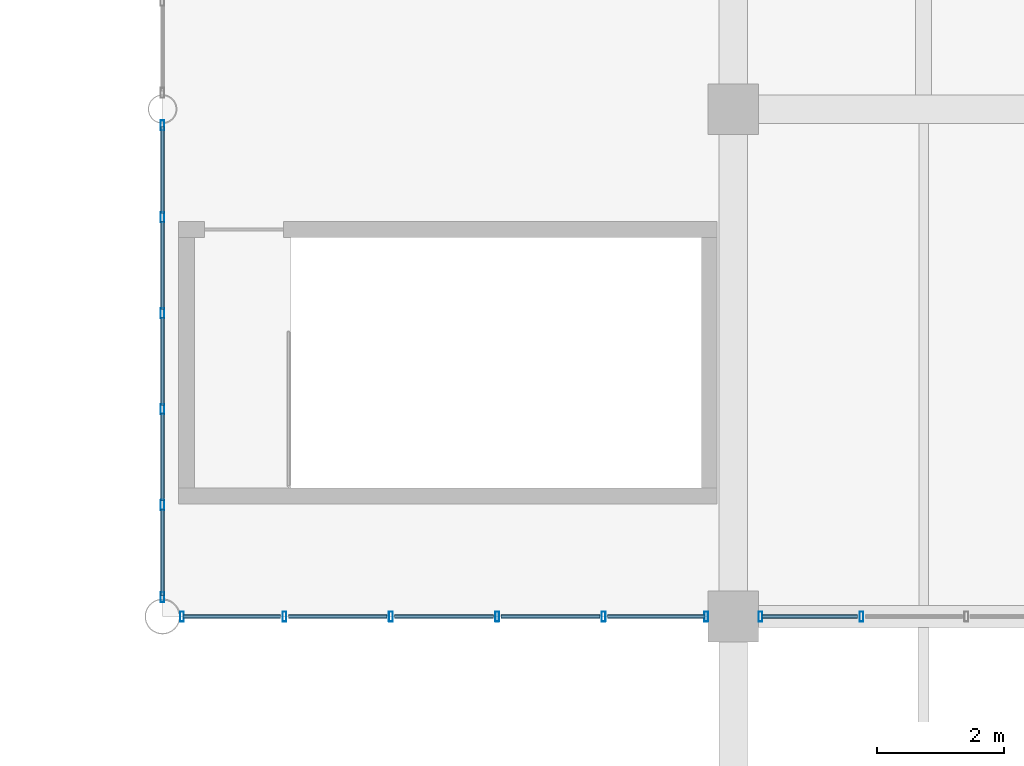
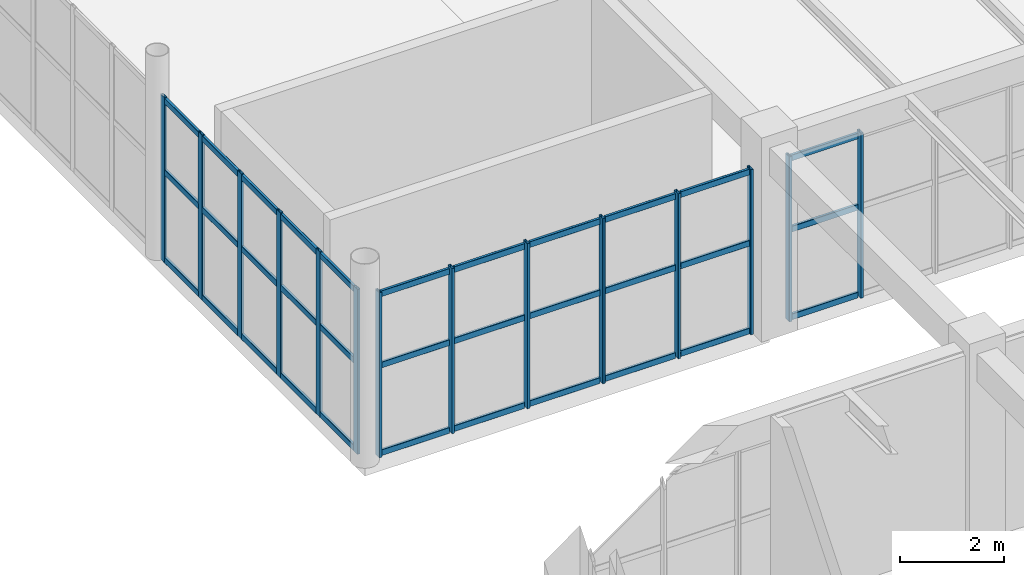
# One storey, part 23 of 178: 47 members, 3 elements without a shape of their own.
"""IFC4 building model written with IfcOpenShell, lengths in metres."""

import ifcopenshell
import ifcopenshell.guid

model = None  # the IFC model being written
_history = None  # IfcOwnerHistory: only IFC2X3 demands one
_inside = {}  # id of a spatial element -> (the spatial element, [elements in it])
_under = {}  # id of a project, library or spatial element -> (it, [spatial elements below it])
_declared = {}  # id of a project -> (the project, [libraries it declares])
_typed = {}  # id of a type object -> (the type object, [elements of that type])
_made_of = {}  # id of a material, layer set ... -> (it, [elements and type objects made of it])


def new_model(schema):
    """Start an empty IFC model of exactly this schema.

    Asked for "IFC4X3", IfcOpenShell would pick the latest addendum, in which some entities
    have other attributes; the version numbers below select the first issue.
    IFC2X3 requires an IfcOwnerHistory on every rooted entity: one is made here for all.
    """
    global model, _history
    if schema == "IFC4X3":
        model = ifcopenshell.file(schema_version=(4, 3, 0, 0))
    else:
        model = ifcopenshell.file(schema=schema)
    _inside.clear()
    _under.clear()
    _declared.clear()
    _typed.clear()
    _made_of.clear()
    _history = None
    if model.schema == "IFC2X3":
        org = make("IfcOrganization", Name="unknown")
        user = make(
            "IfcPersonAndOrganization",
            ThePerson=make("IfcPerson", FamilyName="unknown"),
            TheOrganization=org,
        )
        app = make(
            "IfcApplication",
            ApplicationDeveloper=org,
            Version="unknown",
            ApplicationFullName="unknown",
            ApplicationIdentifier="unknown",
        )
        _history = make(
            "IfcOwnerHistory",
            OwningUser=user,
            OwningApplication=app,
            ChangeAction="ADDED",
            CreationDate=0,
        )
    return model


def make(cls, **values):
    """One entity of the class cls with the attributes given. An attribute that is None is left unset."""
    return model.create_entity(
        cls, **{name: value for name, value in values.items() if value is not None}
    )


def rooted(cls, **values):
    """An entity with a GlobalId (a new one), such as an element, a storey or a relation."""
    return make(cls, GlobalId=ifcopenshell.guid.new(), OwnerHistory=_history, **values)


def si_unit(unit_type, name, prefix=None):
    """IfcSIUnit, for example si_unit("LENGTHUNIT", "METRE", prefix="MILLI")."""
    return make("IfcSIUnit", UnitType=unit_type, Prefix=prefix, Name=name)


def derived_unit(unit_type, elements):
    """IfcDerivedUnit: a product of units, each with its exponent."""
    return make(
        "IfcDerivedUnit",
        Elements=[
            make("IfcDerivedUnitElement", Unit=unit, Exponent=power)
            for unit, power in elements
        ],
        UnitType=unit_type,
    )


def assignment(units):
    """IfcUnitAssignment: the units of a project."""
    return None if units is None else make("IfcUnitAssignment", Units=units)


def point(xyz):
    """IfcCartesianPoint."""
    return None if xyz is None else make("IfcCartesianPoint", Coordinates=xyz)


def direction(xyz):
    """IfcDirection."""
    return None if xyz is None else make("IfcDirection", DirectionRatios=xyz)


def frame(location, z_axis=None, x_axis=None):
    """IfcAxis2Placement3D, a coordinate frame: its origin and axes. An axis left out is left unset."""
    return make(
        "IfcAxis2Placement3D",
        Location=point(location),
        Axis=direction(z_axis),
        RefDirection=direction(x_axis),
    )


def frame_2d(location, x_axis=None):
    """IfcAxis2Placement2D, a coordinate frame in the plane: its origin and x axis."""
    return make(
        "IfcAxis2Placement2D", Location=point(location), RefDirection=direction(x_axis)
    )


def origin():
    """The frame at (0, 0, 0) with its axes left unset."""
    return frame((0.0, 0.0, 0.0))


def origin_2d():
    """The frame at (0, 0) in the plane with its x axis left unset."""
    return frame_2d((0.0, 0.0))


def place(relative_to, where):
    """IfcLocalPlacement: puts the frame where relative to a parent placement (None: the world)."""
    return make(
        "IfcLocalPlacement", PlacementRelTo=relative_to, RelativePlacement=where
    )


def context(
    kind, dimensions, precision=None, world=None, true_north=None, identifier=None
):
    """IfcGeometricRepresentationContext, for example the 3D "Model" context."""
    return make(
        "IfcGeometricRepresentationContext",
        ContextIdentifier=identifier,
        ContextType=kind,
        CoordinateSpaceDimension=dimensions,
        Precision=precision,
        WorldCoordinateSystem=world,
        TrueNorth=true_north,
    )


def subcontext(parent, identifier, kind, view, scale=None):
    """IfcGeometricRepresentationSubContext, for example "Body" below "Model"."""
    return make(
        "IfcGeometricRepresentationSubContext",
        ContextIdentifier=identifier,
        ContextType=kind,
        ParentContext=parent,
        TargetScale=scale,
        TargetView=view,
    )


def project(units=None, contexts=None):
    """IfcProject with its units and contexts."""
    return rooted(
        "IfcProject",
        Name="project",
        RepresentationContexts=contexts,
        UnitsInContext=assignment(units),
    )


def spatial(cls, under=None, at=None, **own):
    """A site, building, storey or space (cls), placed at a placement, below another one or the project."""
    s = rooted(cls, ObjectPlacement=at, **own)
    if under is not None:
        _under.setdefault(under.id(), (under, []))[1].append(s)
    return s


def profile(cls, at=None, kind="AREA", **sizes):
    """A parametric profile (cls). Its sizes go by their IFC names, for example OverallWidth=200.0."""
    return make(cls, ProfileType=kind, Position=at, **sizes)


def hollow_rectangle(**sizes):
    """IfcRectangleHollowProfileDef."""
    return profile("IfcRectangleHollowProfileDef", **sizes)


def extrude(swept, where, along, depth):
    """IfcExtrudedAreaSolid: the profile swept, set in the frame where, extruded along a direction by depth."""
    return make(
        "IfcExtrudedAreaSolid",
        SweptArea=swept,
        Position=where,
        ExtrudedDirection=direction(along),
        Depth=depth,
    )


def shape(context_of_items, identifier, shape_type, items):
    """IfcShapeRepresentation: the items that make up one representation, for example the "Body"."""
    return make(
        "IfcShapeRepresentation",
        ContextOfItems=context_of_items,
        RepresentationIdentifier=identifier,
        RepresentationType=shape_type,
        Items=items,
    )


def material(Name=None, Category=None):
    """IfcMaterial."""
    return make("IfcMaterial", Name=Name, Category=Category)


def material_profile(
    of_material, cross_section, Name=None, Category=None, Priority=None
):
    """IfcMaterialProfile: a cross section and its material."""
    return make(
        "IfcMaterialProfile",
        Name=Name,
        Material=of_material,
        Profile=cross_section,
        Priority=Priority,
        Category=Category,
    )


def profile_set(profiles, Name=None, composite=None):
    """IfcMaterialProfileSet."""
    return make(
        "IfcMaterialProfileSet",
        Name=Name,
        MaterialProfiles=profiles,
        CompositeProfile=composite,
    )


def made_of(thing, what):
    """Note that an element or type object is made of a material, layer set ...; save() writes the relation."""
    if what is not None:
        _made_of.setdefault(what.id(), (what, []))[1].append(thing)
    return thing


def type_object(cls, material=None, **own):
    """A type object (cls), such as IfcWallType, which elements share."""
    return made_of(rooted(cls, **own), material)


def element(
    cls,
    number,
    at=None,
    inside=None,
    cuts=None,
    type_object=None,
    material=None,
    context=None,
    identifier="Body",
    shape_type=None,
    held_by="IfcProductDefinitionShape",
    body=None,
    shapes=None,
    **own,
):
    """One element of the class cls, such as IfcWall. Its Tag is "e" and its number.

    at: its placement. inside: the storey or other place that contains it. cuts: it is an
    opening in that element (IfcRelVoidsElement). A single representation is given by context,
    identifier, shape_type and body (its items); several are given by shapes. held_by: the class
    of the entity that holds the representations. save() writes the other relations.
    """
    e = rooted(cls, Tag="e%d" % number, ObjectPlacement=at, **own)
    if body is not None:
        shapes = [shape(context, identifier, shape_type, body)]
    if shapes is not None:
        e.Representation = make(held_by, Representations=shapes)
    if inside is not None:
        _inside.setdefault(inside.id(), (inside, []))[1].append(e)
    if cuts is not None:
        rooted(
            "IfcRelVoidsElement", RelatingBuildingElement=cuts, RelatedOpeningElement=e
        )
    if type_object is not None:
        _typed.setdefault(type_object.id(), (type_object, []))[1].append(e)
    return made_of(e, material)


def aggregate(whole, parts):
    """IfcRelAggregates: a whole, such as a stair, and the parts it consists of."""
    return rooted("IfcRelAggregates", RelatingObject=whole, RelatedObjects=parts)


def save(model, path):
    """Write the relations noted so far, then the file.

    IfcRelAggregates (storeys below a building ...), IfcRelContainedInSpatialStructure (elements
    in a storey), IfcRelDefinesByType, IfcRelAssociatesMaterial and IfcRelDeclares: one each for
    every whole, place, type object, material and project.
    """
    for whole, parts in _under.values():
        aggregate(whole, parts)
    for where, things in _inside.values():
        rooted(
            "IfcRelContainedInSpatialStructure",
            RelatedElements=things,
            RelatingStructure=where,
        )
    for kind, things in _typed.values():
        rooted("IfcRelDefinesByType", RelatedObjects=things, RelatingType=kind)
    for what, things in _made_of.values():
        rooted("IfcRelAssociatesMaterial", RelatedObjects=things, RelatingMaterial=what)
    for by, libraries in _declared.values():
        rooted("IfcRelDeclares", RelatingContext=by, RelatedDefinitions=libraries)
    model.write(path)


model = new_model("IFC4")

# Units and contexts
model_context = context("Model", 3, precision=1e-05, world=origin(), true_north=direction((0.0, 1.0)))
body_context = subcontext(model_context, "Body", "Model", "MODEL_VIEW")
ifc_project = project(units=[si_unit("LENGTHUNIT", "METRE"), si_unit("AREAUNIT", "SQUARE_METRE"), si_unit("VOLUMEUNIT", "CUBIC_METRE"), si_unit("PLANEANGLEUNIT", "RADIAN"), si_unit("MASSUNIT", "GRAM", prefix="KILO"), derived_unit("THERMALTRANSMITTANCEUNIT", [(si_unit("MASSUNIT", "GRAM", prefix="KILO"), 1), (si_unit("TIMEUNIT", "SECOND"), -3), (si_unit("THERMODYNAMICTEMPERATUREUNIT", "KELVIN"), -1)])], contexts=[model_context])

# Site, building, storey
site_placement = place(None, origin())
site = spatial("IfcSite", under=ifc_project, at=site_placement, CompositionType="ELEMENT")
building_placement = place(site_placement, origin())
building = spatial("IfcBuilding", under=site, at=building_placement, Name="Zhenchuan Archway Interchange", CompositionType="ELEMENT")
storey_placement = place(building_placement, frame((0.0, 0.0, 5.39990234375)))
storey = spatial("IfcBuildingStorey", under=building, at=storey_placement, Name="L01", CompositionType="ELEMENT", Elevation=5.39990234375)

# Curtain wall, members
ifc_material = material(Name="Anodised Aluminium", Category="aluminium")
curtain_wall_type_1 = type_object("IfcCurtainWallType", Name="CW_UNIT_4", PredefinedType="NOTDEFINED", material=ifc_material)
curtain_wall_1_placement = place(storey_placement, origin())
curtain_wall_1 = element("IfcCurtainWall", 1, at=curtain_wall_1_placement, inside=storey, type_object=curtain_wall_type_1, Name="Unitised curtain wall CW:L01:027", PredefinedType="NOTDEFINED")
ifc_material_profile_1 = material_profile(ifc_material, hollow_rectangle(XDim=0.06005859375, YDim=0.159912109375, WallThickness=0.00390625, InnerFilletRadius=0.00390625, OuterFilletRadius=0.008056640625, at=origin_2d()), Name="ALU 160x60x4")
ifc_profile_set_1 = profile_set([ifc_material_profile_1], Name="Anodised Aluminium")
member_type_1 = type_object("IfcMemberType", Name="CW_MUL_150", PredefinedType="MULLION", material=ifc_profile_set_1)
member_1_placement = place(storey_placement, frame((29.020751953125, 24.0, 0.0), z_axis=(0.0, 0.0, 1.0), x_axis=(1.0, 0.0, 0.0)))
member_1 = element("IfcMember", 2, at=member_1_placement, type_object=member_type_1, Name="CW:L01:027 mullion 4", PredefinedType="MULLION", context=body_context, shape_type="SweptSolid", body=[
    extrude(hollow_rectangle(XDim=0.06005859375, YDim=0.159912109375, WallThickness=0.00390625, InnerFilletRadius=0.00390625, OuterFilletRadius=0.008056640625, at=origin_2d()), origin(), (0.0, 0.0, 1.0), 3.880126953125),
])
member_2_placement = place(storey_placement, frame((27.427978515625, 24.0, 0.0), z_axis=(0.0, 0.0, 1.0), x_axis=(1.0, 0.0, 0.0)))
member_2 = element("IfcMember", 3, at=member_2_placement, type_object=member_type_1, Name="CW:L01:027 mullion 5", PredefinedType="MULLION", context=body_context, shape_type="SweptSolid", body=[
    extrude(hollow_rectangle(XDim=0.06005859375, YDim=0.159912109375, WallThickness=0.00390625, InnerFilletRadius=0.00390625, OuterFilletRadius=0.008056640625, at=origin_2d()), origin(), (0.0, 0.0, 1.0), 3.880126953125),
])

curtain_wall_type_2 = type_object("IfcCurtainWallType", Name="CW_UNIT_1", PredefinedType="NOTDEFINED", material=ifc_material)
curtain_wall_2_placement = place(storey_placement, origin())
curtain_wall_2 = element("IfcCurtainWall", 4, at=curtain_wall_2_placement, inside=storey, type_object=curtain_wall_type_2, Name="Unitised curtain wall CW:L01:028", PredefinedType="NOTDEFINED")
member_3_placement = place(storey_placement, frame((26.572021484375, 24.0, 0.0), z_axis=(0.0, 0.0, 1.0), x_axis=(1.0, 0.0, 0.0)))
member_3 = element("IfcMember", 5, at=member_3_placement, type_object=member_type_1, Name="CW:L01:028 mullion 0", PredefinedType="MULLION", context=body_context, shape_type="SweptSolid", body=[
    extrude(hollow_rectangle(XDim=0.06005859375, YDim=0.159912109375, WallThickness=0.00390625, InnerFilletRadius=0.00390625, OuterFilletRadius=0.008056640625, at=origin_2d()), origin(), (0.0, 0.0, 1.0), 3.880126953125),
])
member_4_placement = place(storey_placement, frame((24.954833984375, 24.0, 0.0), z_axis=(0.0, 0.0, 1.0), x_axis=(1.0, 0.0, 0.0)))
member_4 = element("IfcMember", 6, at=member_4_placement, type_object=member_type_1, Name="CW:L01:028 mullion 1", PredefinedType="MULLION", context=body_context, shape_type="SweptSolid", body=[
    extrude(hollow_rectangle(XDim=0.06005859375, YDim=0.159912109375, WallThickness=0.00390625, InnerFilletRadius=0.00390625, OuterFilletRadius=0.008056640625, at=origin_2d()), origin(), (0.0, 0.0, 1.0), 3.880126953125),
])
member_5_placement = place(storey_placement, frame((23.27783203125, 24.0, 0.0), z_axis=(0.0, 0.0, 1.0), x_axis=(1.0, 0.0, 0.0)))
member_5 = element("IfcMember", 7, at=member_5_placement, type_object=member_type_1, Name="CW:L01:028 mullion 2", PredefinedType="MULLION", context=body_context, shape_type="SweptSolid", body=[
    extrude(hollow_rectangle(XDim=0.06005859375, YDim=0.159912109375, WallThickness=0.00390625, InnerFilletRadius=0.00390625, OuterFilletRadius=0.008056640625, at=origin_2d()), origin(), (0.0, 0.0, 1.0), 3.880126953125),
])
member_6_placement = place(storey_placement, frame((21.6005859375, 24.0, 0.0), z_axis=(0.0, 0.0, 1.0), x_axis=(1.0, 0.0, 0.0)))
member_6 = element("IfcMember", 8, at=member_6_placement, type_object=member_type_1, Name="CW:L01:028 mullion 3", PredefinedType="MULLION", context=body_context, shape_type="SweptSolid", body=[
    extrude(hollow_rectangle(XDim=0.06005859375, YDim=0.159912109375, WallThickness=0.00390625, InnerFilletRadius=0.00390625, OuterFilletRadius=0.008056640625, at=origin_2d()), origin(), (0.0, 0.0, 1.0), 3.880126953125),
])
member_7_placement = place(storey_placement, frame((19.923583984375, 24.0, 0.0), z_axis=(0.0, 0.0, 1.0), x_axis=(1.0, 0.0, 0.0)))
member_7 = element("IfcMember", 9, at=member_7_placement, type_object=member_type_1, Name="CW:L01:028 mullion 4", PredefinedType="MULLION", context=body_context, shape_type="SweptSolid", body=[
    extrude(hollow_rectangle(XDim=0.06005859375, YDim=0.159912109375, WallThickness=0.00390625, InnerFilletRadius=0.00390625, OuterFilletRadius=0.008056640625, at=origin_2d()), origin(), (0.0, 0.0, 1.0), 3.880126953125),
])
member_8_placement = place(storey_placement, frame((18.306396484375, 24.0, 0.0), z_axis=(0.0, 0.0, 1.0), x_axis=(1.0, 0.0, 0.0)))
member_8 = element("IfcMember", 10, at=member_8_placement, type_object=member_type_1, Name="CW:L01:028 mullion 5", PredefinedType="MULLION", context=body_context, shape_type="SweptSolid", body=[
    extrude(hollow_rectangle(XDim=0.06005859375, YDim=0.159912109375, WallThickness=0.00390625, InnerFilletRadius=0.00390625, OuterFilletRadius=0.008056640625, at=origin_2d()), origin(), (0.0, 0.0, 1.0), 3.880126953125),
])

curtain_wall_type_3 = type_object("IfcCurtainWallType", Name="CW_UNIT_2", PredefinedType="NOTDEFINED", material=ifc_material)
curtain_wall_3_placement = place(storey_placement, origin())
curtain_wall_3 = element("IfcCurtainWall", 11, at=curtain_wall_3_placement, inside=storey, type_object=curtain_wall_type_3, Name="Unitised curtain wall CW:L01:029", PredefinedType="NOTDEFINED")
member_9_placement = place(storey_placement, frame((18.0, 24.306396484375, 0.0), z_axis=(0.0, 0.0, 1.0), x_axis=(1.0, 0.0, 0.0)))
member_9 = element("IfcMember", 12, at=member_9_placement, type_object=member_type_1, Name="CW:L01:029 mullion 0", PredefinedType="MULLION", context=body_context, shape_type="SweptSolid", body=[
    extrude(hollow_rectangle(XDim=0.06005859375, YDim=0.159912109375, WallThickness=0.00390625, InnerFilletRadius=0.00390625, OuterFilletRadius=0.008056640625, at=origin_2d()), origin(), (0.0, 0.0, 1.0), 3.880126953125),
])
member_10_placement = place(storey_placement, frame((18.0, 25.758056640625, 0.0), z_axis=(0.0, 0.0, 1.0), x_axis=(1.0, 0.0, 0.0)))
member_10 = element("IfcMember", 13, at=member_10_placement, type_object=member_type_1, Name="CW:L01:029 mullion 1", PredefinedType="MULLION", context=body_context, shape_type="SweptSolid", body=[
    extrude(hollow_rectangle(XDim=0.06005859375, YDim=0.159912109375, WallThickness=0.00390625, InnerFilletRadius=0.00390625, OuterFilletRadius=0.008056640625, at=origin_2d()), origin(), (0.0, 0.0, 1.0), 3.880126953125),
])
member_11_placement = place(storey_placement, frame((18.0, 27.269775390625, 0.0), z_axis=(0.0, 0.0, 1.0), x_axis=(1.0, 0.0, 0.0)))
member_11 = element("IfcMember", 14, at=member_11_placement, type_object=member_type_1, Name="CW:L01:029 mullion 2", PredefinedType="MULLION", context=body_context, shape_type="SweptSolid", body=[
    extrude(hollow_rectangle(XDim=0.06005859375, YDim=0.159912109375, WallThickness=0.00390625, InnerFilletRadius=0.00390625, OuterFilletRadius=0.008056640625, at=origin_2d()), origin(), (0.0, 0.0, 1.0), 3.880126953125),
])
member_12_placement = place(storey_placement, frame((18.0, 28.78125, 0.0), z_axis=(0.0, 0.0, 1.0), x_axis=(1.0, 0.0, 0.0)))
member_12 = element("IfcMember", 15, at=member_12_placement, type_object=member_type_1, Name="CW:L01:029 mullion 3", PredefinedType="MULLION", context=body_context, shape_type="SweptSolid", body=[
    extrude(hollow_rectangle(XDim=0.06005859375, YDim=0.159912109375, WallThickness=0.00390625, InnerFilletRadius=0.00390625, OuterFilletRadius=0.008056640625, at=origin_2d()), origin(), (0.0, 0.0, 1.0), 3.880126953125),
])
member_13_placement = place(storey_placement, frame((18.0, 30.29296875, 0.0), z_axis=(0.0, 0.0, 1.0), x_axis=(1.0, 0.0, 0.0)))
member_13 = element("IfcMember", 16, at=member_13_placement, type_object=member_type_1, Name="CW:L01:029 mullion 4", PredefinedType="MULLION", context=body_context, shape_type="SweptSolid", body=[
    extrude(hollow_rectangle(XDim=0.06005859375, YDim=0.159912109375, WallThickness=0.00390625, InnerFilletRadius=0.00390625, OuterFilletRadius=0.008056640625, at=origin_2d()), origin(), (0.0, 0.0, 1.0), 3.880126953125),
])
member_14_placement = place(storey_placement, frame((18.0, 31.744384765625, 0.0), z_axis=(0.0, 0.0, 1.0), x_axis=(1.0, 0.0, 0.0)))
member_14 = element("IfcMember", 17, at=member_14_placement, type_object=member_type_1, Name="CW:L01:029 mullion 5", PredefinedType="MULLION", context=body_context, shape_type="SweptSolid", body=[
    extrude(hollow_rectangle(XDim=0.06005859375, YDim=0.159912109375, WallThickness=0.00390625, InnerFilletRadius=0.00390625, OuterFilletRadius=0.008056640625, at=origin_2d()), origin(), (0.0, 0.0, 1.0), 3.880126953125),
])

# Member
ifc_material_profile_2 = material_profile(ifc_material, hollow_rectangle(XDim=0.06005859375, YDim=0.139892578125, WallThickness=0.00341796875, InnerFilletRadius=0.00341796875, OuterFilletRadius=0.007080078125, at=origin_2d()), Name="ALU 140x60x3.5")
ifc_profile_set_2 = profile_set([ifc_material_profile_2], Name="Anodised Aluminium")
member_type_2 = type_object("IfcMemberType", Name="CW_TRN_140", PredefinedType="USERDEFINED", material=ifc_profile_set_2)
member_15_placement = place(storey_placement, frame((28.960693359375, 24.0, 0.06005859375), z_axis=(-1.0, 0.0, 0.0), x_axis=(0.0, -1.0, 0.0)))
member_15 = element("IfcMember", 18, at=member_15_placement, type_object=member_type_2, Name="CW:L01:027 transom 4-1", ObjectType="TRANSOM", PredefinedType="USERDEFINED", context=body_context, shape_type="SweptSolid", body=[
    extrude(hollow_rectangle(XDim=0.06005859375, YDim=0.139892578125, WallThickness=0.00341796875, InnerFilletRadius=0.00341796875, OuterFilletRadius=0.007080078125, at=origin_2d()), origin(), (0.0, 0.0, 1.0), 1.5126953125),
])

member_16_placement = place(storey_placement, frame((28.960693359375, 24.0, 2.123046875), z_axis=(-1.0, 0.0, 0.0), x_axis=(0.0, -1.0, 0.0)))
member_16 = element("IfcMember", 19, at=member_16_placement, type_object=member_type_2, Name="CW:L01:027 transom 4-2", ObjectType="TRANSOM", PredefinedType="USERDEFINED", context=body_context, shape_type="SweptSolid", body=[
    extrude(hollow_rectangle(XDim=0.06005859375, YDim=0.139892578125, WallThickness=0.00341796875, InnerFilletRadius=0.00341796875, OuterFilletRadius=0.007080078125, at=origin_2d()), origin(), (0.0, 0.0, 1.0), 1.5126953125),
])

member_17_placement = place(storey_placement, frame((28.960693359375, 24.0, 3.800048828125), z_axis=(-1.0, 0.0, 0.0), x_axis=(0.0, -1.0, 0.0)))
member_17 = element("IfcMember", 20, at=member_17_placement, type_object=member_type_2, Name="CW:L01:027 transom 4-3", ObjectType="TRANSOM", PredefinedType="USERDEFINED", context=body_context, shape_type="SweptSolid", body=[
    extrude(hollow_rectangle(XDim=0.06005859375, YDim=0.139892578125, WallThickness=0.00341796875, InnerFilletRadius=0.00341796875, OuterFilletRadius=0.007080078125, at=origin_2d()), origin(), (0.0, 0.0, 1.0), 1.5126953125),
])

aggregate(curtain_wall_1, [member_1, member_2, member_15, member_16, member_17])

member_18_placement = place(storey_placement, frame((26.552001953125, 24.0, 0.06005859375), z_axis=(-1.0, 0.0, 0.0), x_axis=(0.0, -1.0, 0.0)))
member_18 = element("IfcMember", 21, at=member_18_placement, type_object=member_type_2, Name="CW:L01:028 transom 0-1", ObjectType="TRANSOM", PredefinedType="USERDEFINED", context=body_context, shape_type="SweptSolid", body=[
    extrude(hollow_rectangle(XDim=0.06005859375, YDim=0.139892578125, WallThickness=0.00341796875, InnerFilletRadius=0.00341796875, OuterFilletRadius=0.007080078125, at=origin_2d()), origin(), (0.0, 0.0, 1.0), 1.537109375),
])

member_19_placement = place(storey_placement, frame((26.552001953125, 24.0, 2.123046875), z_axis=(-1.0, 0.0, 0.0), x_axis=(0.0, -1.0, 0.0)))
member_19 = element("IfcMember", 22, at=member_19_placement, type_object=member_type_2, Name="CW:L01:028 transom 0-2", ObjectType="TRANSOM", PredefinedType="USERDEFINED", context=body_context, shape_type="SweptSolid", body=[
    extrude(hollow_rectangle(XDim=0.06005859375, YDim=0.139892578125, WallThickness=0.00341796875, InnerFilletRadius=0.00341796875, OuterFilletRadius=0.007080078125, at=origin_2d()), origin(), (0.0, 0.0, 1.0), 1.537109375),
])

member_20_placement = place(storey_placement, frame((26.552001953125, 24.0, 3.800048828125), z_axis=(-1.0, 0.0, 0.0), x_axis=(0.0, -1.0, 0.0)))
member_20 = element("IfcMember", 23, at=member_20_placement, type_object=member_type_2, Name="CW:L01:028 transom 0-3", ObjectType="TRANSOM", PredefinedType="USERDEFINED", context=body_context, shape_type="SweptSolid", body=[
    extrude(hollow_rectangle(XDim=0.06005859375, YDim=0.139892578125, WallThickness=0.00341796875, InnerFilletRadius=0.00341796875, OuterFilletRadius=0.007080078125, at=origin_2d()), origin(), (0.0, 0.0, 1.0), 1.537109375),
])

member_21_placement = place(storey_placement, frame((24.89501953125, 24.0, 0.06005859375), z_axis=(-1.0, 0.0, 0.0), x_axis=(0.0, -1.0, 0.0)))
member_21 = element("IfcMember", 24, at=member_21_placement, type_object=member_type_2, Name="CW:L01:028 transom 1-1", ObjectType="TRANSOM", PredefinedType="USERDEFINED", context=body_context, shape_type="SweptSolid", body=[
    extrude(hollow_rectangle(XDim=0.06005859375, YDim=0.139892578125, WallThickness=0.00341796875, InnerFilletRadius=0.00341796875, OuterFilletRadius=0.007080078125, at=origin_2d()), origin(), (0.0, 0.0, 1.0), 1.55712890625),
])

member_22_placement = place(storey_placement, frame((24.89501953125, 24.0, 2.123046875), z_axis=(-1.0, 0.0, 0.0), x_axis=(0.0, -1.0, 0.0)))
member_22 = element("IfcMember", 25, at=member_22_placement, type_object=member_type_2, Name="CW:L01:028 transom 1-2", ObjectType="TRANSOM", PredefinedType="USERDEFINED", context=body_context, shape_type="SweptSolid", body=[
    extrude(hollow_rectangle(XDim=0.06005859375, YDim=0.139892578125, WallThickness=0.00341796875, InnerFilletRadius=0.00341796875, OuterFilletRadius=0.007080078125, at=origin_2d()), origin(), (0.0, 0.0, 1.0), 1.55712890625),
])

member_23_placement = place(storey_placement, frame((24.89501953125, 24.0, 3.800048828125), z_axis=(-1.0, 0.0, 0.0), x_axis=(0.0, -1.0, 0.0)))
member_23 = element("IfcMember", 26, at=member_23_placement, type_object=member_type_2, Name="CW:L01:028 transom 1-3", ObjectType="TRANSOM", PredefinedType="USERDEFINED", context=body_context, shape_type="SweptSolid", body=[
    extrude(hollow_rectangle(XDim=0.06005859375, YDim=0.139892578125, WallThickness=0.00341796875, InnerFilletRadius=0.00341796875, OuterFilletRadius=0.007080078125, at=origin_2d()), origin(), (0.0, 0.0, 1.0), 1.55712890625),
])

member_24_placement = place(storey_placement, frame((23.2177734375, 24.0, 0.06005859375), z_axis=(-1.0, 0.0, 0.0), x_axis=(0.0, -1.0, 0.0)))
member_24 = element("IfcMember", 27, at=member_24_placement, type_object=member_type_2, Name="CW:L01:028 transom 2-1", ObjectType="TRANSOM", PredefinedType="USERDEFINED", context=body_context, shape_type="SweptSolid", body=[
    extrude(hollow_rectangle(XDim=0.06005859375, YDim=0.139892578125, WallThickness=0.00341796875, InnerFilletRadius=0.00341796875, OuterFilletRadius=0.007080078125, at=origin_2d()), origin(), (0.0, 0.0, 1.0), 1.55712890625),
])

member_25_placement = place(storey_placement, frame((23.2177734375, 24.0, 2.123046875), z_axis=(-1.0, 0.0, 0.0), x_axis=(0.0, -1.0, 0.0)))
member_25 = element("IfcMember", 28, at=member_25_placement, type_object=member_type_2, Name="CW:L01:028 transom 2-2", ObjectType="TRANSOM", PredefinedType="USERDEFINED", context=body_context, shape_type="SweptSolid", body=[
    extrude(hollow_rectangle(XDim=0.06005859375, YDim=0.139892578125, WallThickness=0.00341796875, InnerFilletRadius=0.00341796875, OuterFilletRadius=0.007080078125, at=origin_2d()), origin(), (0.0, 0.0, 1.0), 1.55712890625),
])

member_26_placement = place(storey_placement, frame((23.2177734375, 24.0, 3.800048828125), z_axis=(-1.0, 0.0, 0.0), x_axis=(0.0, -1.0, 0.0)))
member_26 = element("IfcMember", 29, at=member_26_placement, type_object=member_type_2, Name="CW:L01:028 transom 2-3", ObjectType="TRANSOM", PredefinedType="USERDEFINED", context=body_context, shape_type="SweptSolid", body=[
    extrude(hollow_rectangle(XDim=0.06005859375, YDim=0.139892578125, WallThickness=0.00341796875, InnerFilletRadius=0.00341796875, OuterFilletRadius=0.007080078125, at=origin_2d()), origin(), (0.0, 0.0, 1.0), 1.55712890625),
])

member_27_placement = place(storey_placement, frame((21.540771484375, 24.0, 0.06005859375), z_axis=(-1.0, 0.0, 0.0), x_axis=(0.0, -1.0, 0.0)))
member_27 = element("IfcMember", 30, at=member_27_placement, type_object=member_type_2, Name="CW:L01:028 transom 3-1", ObjectType="TRANSOM", PredefinedType="USERDEFINED", context=body_context, shape_type="SweptSolid", body=[
    extrude(hollow_rectangle(XDim=0.06005859375, YDim=0.139892578125, WallThickness=0.00341796875, InnerFilletRadius=0.00341796875, OuterFilletRadius=0.007080078125, at=origin_2d()), origin(), (0.0, 0.0, 1.0), 1.55712890625),
])

member_28_placement = place(storey_placement, frame((21.540771484375, 24.0, 2.123046875), z_axis=(-1.0, 0.0, 0.0), x_axis=(0.0, -1.0, 0.0)))
member_28 = element("IfcMember", 31, at=member_28_placement, type_object=member_type_2, Name="CW:L01:028 transom 3-2", ObjectType="TRANSOM", PredefinedType="USERDEFINED", context=body_context, shape_type="SweptSolid", body=[
    extrude(hollow_rectangle(XDim=0.06005859375, YDim=0.139892578125, WallThickness=0.00341796875, InnerFilletRadius=0.00341796875, OuterFilletRadius=0.007080078125, at=origin_2d()), origin(), (0.0, 0.0, 1.0), 1.55712890625),
])

member_29_placement = place(storey_placement, frame((21.540771484375, 24.0, 3.800048828125), z_axis=(-1.0, 0.0, 0.0), x_axis=(0.0, -1.0, 0.0)))
member_29 = element("IfcMember", 32, at=member_29_placement, type_object=member_type_2, Name="CW:L01:028 transom 3-3", ObjectType="TRANSOM", PredefinedType="USERDEFINED", context=body_context, shape_type="SweptSolid", body=[
    extrude(hollow_rectangle(XDim=0.06005859375, YDim=0.139892578125, WallThickness=0.00341796875, InnerFilletRadius=0.00341796875, OuterFilletRadius=0.007080078125, at=origin_2d()), origin(), (0.0, 0.0, 1.0), 1.55712890625),
])

member_30_placement = place(storey_placement, frame((19.863525390625, 24.0, 0.06005859375), z_axis=(-1.0, 0.0, 0.0), x_axis=(0.0, -1.0, 0.0)))
member_30 = element("IfcMember", 33, at=member_30_placement, type_object=member_type_2, Name="CW:L01:028 transom 4-1", ObjectType="TRANSOM", PredefinedType="USERDEFINED", context=body_context, shape_type="SweptSolid", body=[
    extrude(hollow_rectangle(XDim=0.06005859375, YDim=0.139892578125, WallThickness=0.00341796875, InnerFilletRadius=0.00341796875, OuterFilletRadius=0.007080078125, at=origin_2d()), origin(), (0.0, 0.0, 1.0), 1.537109375),
])

member_31_placement = place(storey_placement, frame((19.863525390625, 24.0, 2.123046875), z_axis=(-1.0, 0.0, 0.0), x_axis=(0.0, -1.0, 0.0)))
member_31 = element("IfcMember", 34, at=member_31_placement, type_object=member_type_2, Name="CW:L01:028 transom 4-2", ObjectType="TRANSOM", PredefinedType="USERDEFINED", context=body_context, shape_type="SweptSolid", body=[
    extrude(hollow_rectangle(XDim=0.06005859375, YDim=0.139892578125, WallThickness=0.00341796875, InnerFilletRadius=0.00341796875, OuterFilletRadius=0.007080078125, at=origin_2d()), origin(), (0.0, 0.0, 1.0), 1.537109375),
])

member_32_placement = place(storey_placement, frame((19.863525390625, 24.0, 3.800048828125), z_axis=(-1.0, 0.0, 0.0), x_axis=(0.0, -1.0, 0.0)))
member_32 = element("IfcMember", 35, at=member_32_placement, type_object=member_type_2, Name="CW:L01:028 transom 4-3", ObjectType="TRANSOM", PredefinedType="USERDEFINED", context=body_context, shape_type="SweptSolid", body=[
    extrude(hollow_rectangle(XDim=0.06005859375, YDim=0.139892578125, WallThickness=0.00341796875, InnerFilletRadius=0.00341796875, OuterFilletRadius=0.007080078125, at=origin_2d()), origin(), (0.0, 0.0, 1.0), 1.537109375),
])

aggregate(curtain_wall_2, [member_3, member_4, member_5, member_6, member_7, member_8, member_18, member_19, member_20, member_21, member_22, member_23, member_24, member_25, member_26, member_27, member_28, member_29, member_30, member_31, member_32])

member_33_placement = place(storey_placement, frame((18.0, 24.326416015625, 0.06005859375), z_axis=(0.0, 1.0, 0.0), x_axis=(-1.0, 0.0, 0.0)))
member_33 = element("IfcMember", 36, at=member_33_placement, type_object=member_type_2, Name="CW:L01:029 transom 0-1", ObjectType="TRANSOM", PredefinedType="USERDEFINED", context=body_context, shape_type="SweptSolid", body=[
    extrude(hollow_rectangle(XDim=0.06005859375, YDim=0.139892578125, WallThickness=0.00341796875, InnerFilletRadius=0.00341796875, OuterFilletRadius=0.007080078125, at=origin_2d()), origin(), (0.0, 0.0, 1.0), 1.37158203125),
])

member_34_placement = place(storey_placement, frame((18.0, 24.326416015625, 2.123046875), z_axis=(0.0, 1.0, 0.0), x_axis=(-1.0, 0.0, 0.0)))
member_34 = element("IfcMember", 37, at=member_34_placement, type_object=member_type_2, Name="CW:L01:029 transom 0-2", ObjectType="TRANSOM", PredefinedType="USERDEFINED", context=body_context, shape_type="SweptSolid", body=[
    extrude(hollow_rectangle(XDim=0.06005859375, YDim=0.139892578125, WallThickness=0.00341796875, InnerFilletRadius=0.00341796875, OuterFilletRadius=0.007080078125, at=origin_2d()), origin(), (0.0, 0.0, 1.0), 1.37158203125),
])

member_35_placement = place(storey_placement, frame((18.0, 24.326416015625, 3.800048828125), z_axis=(0.0, 1.0, 0.0), x_axis=(-1.0, 0.0, 0.0)))
member_35 = element("IfcMember", 38, at=member_35_placement, type_object=member_type_2, Name="CW:L01:029 transom 0-3", ObjectType="TRANSOM", PredefinedType="USERDEFINED", context=body_context, shape_type="SweptSolid", body=[
    extrude(hollow_rectangle(XDim=0.06005859375, YDim=0.139892578125, WallThickness=0.00341796875, InnerFilletRadius=0.00341796875, OuterFilletRadius=0.007080078125, at=origin_2d()), origin(), (0.0, 0.0, 1.0), 1.37158203125),
])

member_36_placement = place(storey_placement, frame((18.0, 25.818115234375, 0.06005859375), z_axis=(0.0, 1.0, 0.0), x_axis=(-1.0, 0.0, 0.0)))
member_36 = element("IfcMember", 39, at=member_36_placement, type_object=member_type_2, Name="CW:L01:029 transom 1-1", ObjectType="TRANSOM", PredefinedType="USERDEFINED", context=body_context, shape_type="SweptSolid", body=[
    extrude(hollow_rectangle(XDim=0.06005859375, YDim=0.139892578125, WallThickness=0.00341796875, InnerFilletRadius=0.00341796875, OuterFilletRadius=0.007080078125, at=origin_2d()), origin(), (0.0, 0.0, 1.0), 1.3916015625),
])

member_37_placement = place(storey_placement, frame((18.0, 25.818115234375, 2.123046875), z_axis=(0.0, 1.0, 0.0), x_axis=(-1.0, 0.0, 0.0)))
member_37 = element("IfcMember", 40, at=member_37_placement, type_object=member_type_2, Name="CW:L01:029 transom 1-2", ObjectType="TRANSOM", PredefinedType="USERDEFINED", context=body_context, shape_type="SweptSolid", body=[
    extrude(hollow_rectangle(XDim=0.06005859375, YDim=0.139892578125, WallThickness=0.00341796875, InnerFilletRadius=0.00341796875, OuterFilletRadius=0.007080078125, at=origin_2d()), origin(), (0.0, 0.0, 1.0), 1.3916015625),
])

member_38_placement = place(storey_placement, frame((18.0, 25.818115234375, 3.800048828125), z_axis=(0.0, 1.0, 0.0), x_axis=(-1.0, 0.0, 0.0)))
member_38 = element("IfcMember", 41, at=member_38_placement, type_object=member_type_2, Name="CW:L01:029 transom 1-3", ObjectType="TRANSOM", PredefinedType="USERDEFINED", context=body_context, shape_type="SweptSolid", body=[
    extrude(hollow_rectangle(XDim=0.06005859375, YDim=0.139892578125, WallThickness=0.00341796875, InnerFilletRadius=0.00341796875, OuterFilletRadius=0.007080078125, at=origin_2d()), origin(), (0.0, 0.0, 1.0), 1.3916015625),
])

member_39_placement = place(storey_placement, frame((18.0, 27.32958984375, 0.06005859375), z_axis=(0.0, 1.0, 0.0), x_axis=(-1.0, 0.0, 0.0)))
member_39 = element("IfcMember", 42, at=member_39_placement, type_object=member_type_2, Name="CW:L01:029 transom 2-1", ObjectType="TRANSOM", PredefinedType="USERDEFINED", context=body_context, shape_type="SweptSolid", body=[
    extrude(hollow_rectangle(XDim=0.06005859375, YDim=0.139892578125, WallThickness=0.00341796875, InnerFilletRadius=0.00341796875, OuterFilletRadius=0.007080078125, at=origin_2d()), origin(), (0.0, 0.0, 1.0), 1.3916015625),
])

member_40_placement = place(storey_placement, frame((18.0, 27.32958984375, 2.123046875), z_axis=(0.0, 1.0, 0.0), x_axis=(-1.0, 0.0, 0.0)))
member_40 = element("IfcMember", 43, at=member_40_placement, type_object=member_type_2, Name="CW:L01:029 transom 2-2", ObjectType="TRANSOM", PredefinedType="USERDEFINED", context=body_context, shape_type="SweptSolid", body=[
    extrude(hollow_rectangle(XDim=0.06005859375, YDim=0.139892578125, WallThickness=0.00341796875, InnerFilletRadius=0.00341796875, OuterFilletRadius=0.007080078125, at=origin_2d()), origin(), (0.0, 0.0, 1.0), 1.3916015625),
])

member_41_placement = place(storey_placement, frame((18.0, 27.32958984375, 3.800048828125), z_axis=(0.0, 1.0, 0.0), x_axis=(-1.0, 0.0, 0.0)))
member_41 = element("IfcMember", 44, at=member_41_placement, type_object=member_type_2, Name="CW:L01:029 transom 2-3", ObjectType="TRANSOM", PredefinedType="USERDEFINED", context=body_context, shape_type="SweptSolid", body=[
    extrude(hollow_rectangle(XDim=0.06005859375, YDim=0.139892578125, WallThickness=0.00341796875, InnerFilletRadius=0.00341796875, OuterFilletRadius=0.007080078125, at=origin_2d()), origin(), (0.0, 0.0, 1.0), 1.3916015625),
])

member_42_placement = place(storey_placement, frame((18.0, 28.84130859375, 0.06005859375), z_axis=(0.0, 1.0, 0.0), x_axis=(-1.0, 0.0, 0.0)))
member_42 = element("IfcMember", 45, at=member_42_placement, type_object=member_type_2, Name="CW:L01:029 transom 3-1", ObjectType="TRANSOM", PredefinedType="USERDEFINED", context=body_context, shape_type="SweptSolid", body=[
    extrude(hollow_rectangle(XDim=0.06005859375, YDim=0.139892578125, WallThickness=0.00341796875, InnerFilletRadius=0.00341796875, OuterFilletRadius=0.007080078125, at=origin_2d()), origin(), (0.0, 0.0, 1.0), 1.3916015625),
])

member_43_placement = place(storey_placement, frame((18.0, 28.84130859375, 2.123046875), z_axis=(0.0, 1.0, 0.0), x_axis=(-1.0, 0.0, 0.0)))
member_43 = element("IfcMember", 46, at=member_43_placement, type_object=member_type_2, Name="CW:L01:029 transom 3-2", ObjectType="TRANSOM", PredefinedType="USERDEFINED", context=body_context, shape_type="SweptSolid", body=[
    extrude(hollow_rectangle(XDim=0.06005859375, YDim=0.139892578125, WallThickness=0.00341796875, InnerFilletRadius=0.00341796875, OuterFilletRadius=0.007080078125, at=origin_2d()), origin(), (0.0, 0.0, 1.0), 1.3916015625),
])

member_44_placement = place(storey_placement, frame((18.0, 28.84130859375, 3.800048828125), z_axis=(0.0, 1.0, 0.0), x_axis=(-1.0, 0.0, 0.0)))
member_44 = element("IfcMember", 47, at=member_44_placement, type_object=member_type_2, Name="CW:L01:029 transom 3-3", ObjectType="TRANSOM", PredefinedType="USERDEFINED", context=body_context, shape_type="SweptSolid", body=[
    extrude(hollow_rectangle(XDim=0.06005859375, YDim=0.139892578125, WallThickness=0.00341796875, InnerFilletRadius=0.00341796875, OuterFilletRadius=0.007080078125, at=origin_2d()), origin(), (0.0, 0.0, 1.0), 1.3916015625),
])

member_45_placement = place(storey_placement, frame((18.0, 30.352783203125, 0.06005859375), z_axis=(0.0, 1.0, 0.0), x_axis=(-1.0, 0.0, 0.0)))
member_45 = element("IfcMember", 48, at=member_45_placement, type_object=member_type_2, Name="CW:L01:029 transom 4-1", ObjectType="TRANSOM", PredefinedType="USERDEFINED", context=body_context, shape_type="SweptSolid", body=[
    extrude(hollow_rectangle(XDim=0.06005859375, YDim=0.139892578125, WallThickness=0.00341796875, InnerFilletRadius=0.00341796875, OuterFilletRadius=0.007080078125, at=origin_2d()), origin(), (0.0, 0.0, 1.0), 1.371826171875),
])

member_46_placement = place(storey_placement, frame((18.0, 30.352783203125, 2.123046875), z_axis=(0.0, 1.0, 0.0), x_axis=(-1.0, 0.0, 0.0)))
member_46 = element("IfcMember", 49, at=member_46_placement, type_object=member_type_2, Name="CW:L01:029 transom 4-2", ObjectType="TRANSOM", PredefinedType="USERDEFINED", context=body_context, shape_type="SweptSolid", body=[
    extrude(hollow_rectangle(XDim=0.06005859375, YDim=0.139892578125, WallThickness=0.00341796875, InnerFilletRadius=0.00341796875, OuterFilletRadius=0.007080078125, at=origin_2d()), origin(), (0.0, 0.0, 1.0), 1.371826171875),
])

member_47_placement = place(storey_placement, frame((18.0, 30.352783203125, 3.800048828125), z_axis=(0.0, 1.0, 0.0), x_axis=(-1.0, 0.0, 0.0)))
member_47 = element("IfcMember", 50, at=member_47_placement, type_object=member_type_2, Name="CW:L01:029 transom 4-3", ObjectType="TRANSOM", PredefinedType="USERDEFINED", context=body_context, shape_type="SweptSolid", body=[
    extrude(hollow_rectangle(XDim=0.06005859375, YDim=0.139892578125, WallThickness=0.00341796875, InnerFilletRadius=0.00341796875, OuterFilletRadius=0.007080078125, at=origin_2d()), origin(), (0.0, 0.0, 1.0), 1.371826171875),
])

aggregate(curtain_wall_3, [member_9, member_10, member_11, member_12, member_13, member_14, member_33, member_34, member_35, member_36, member_37, member_38, member_39, member_40, member_41, member_42, member_43, member_44, member_45, member_46, member_47])

save(model, "model.ifc")
